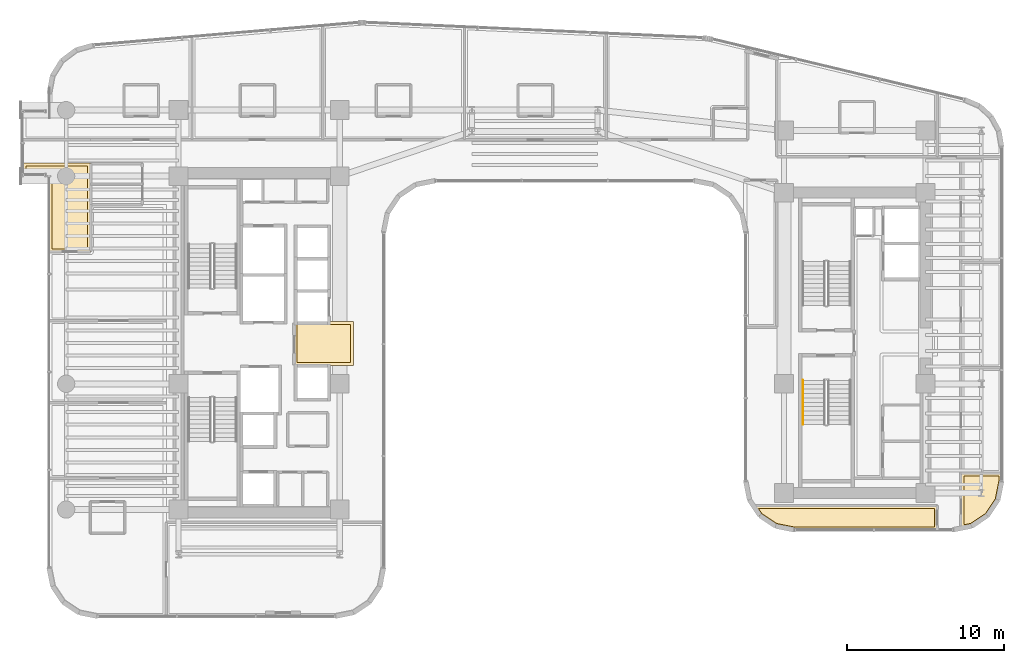
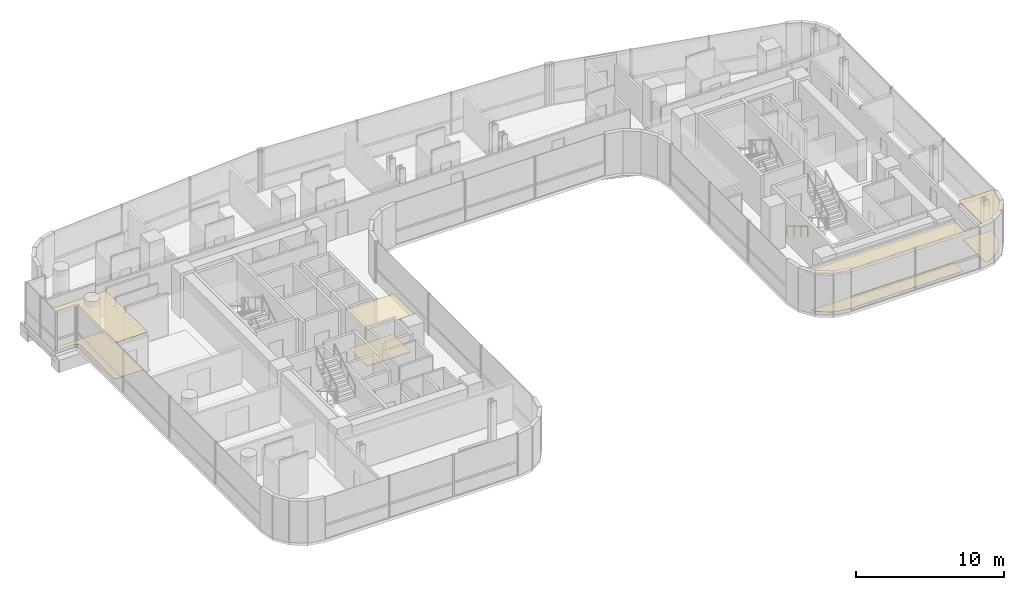
# One storey, part 33 of 35: 8 coverings, 1 railing.
"""IFC4 building model written with IfcOpenShell, lengths in metres."""

from ifc_helpers import new_model, si_unit, direction, frame, origin, origin_2d, place, context, subcontext, project, spatial, polyline, circle, outline, extrude, material, layer, layer_set, type_object, element, save


model = new_model("IFC4")

# Units and contexts
model_context = context("Model", 3, precision=1e-05, world=origin(), true_north=direction((0.0, 1.0)))
body_context = subcontext(model_context, "Body", "Model", "MODEL_VIEW")
ifc_project = project(units=[si_unit("LENGTHUNIT", "METRE"), si_unit("AREAUNIT", "SQUARE_METRE"), si_unit("VOLUMEUNIT", "CUBIC_METRE"), si_unit("PLANEANGLEUNIT", "RADIAN"), si_unit("MASSUNIT", "GRAM", prefix="KILO")], contexts=[model_context])

# Site, building, storey
site_placement = place(None, origin())
site = spatial("IfcSite", under=ifc_project, at=site_placement, CompositionType="ELEMENT")
building_placement = place(site_placement, origin())
building = spatial("IfcBuilding", under=site, at=building_placement, Name="Valdorenza Pilgrim Sanctuary Tower", CompositionType="ELEMENT")
storey_placement = place(building_placement, frame((0.0, 0.0, 116.800048828125)))
storey = spatial("IfcBuildingStorey", under=building, at=storey_placement, Name="L29", CompositionType="ELEMENT", Elevation=116.800048828125)

# Coverings
ifc_material_1 = material(Name="Micro-perforated acoustic mineral ceiling tile", Category="gypsum")
ifc_layer_1 = layer(ifc_material_1, 0.02490234375, Name="Micro-perforated acoustic mineral ceiling tile")
ifc_layer_set_1 = layer_set([ifc_layer_1], Name="Micro-perforated acoustic mineral ceiling tile")
covering_type_1 = type_object("IfcCoveringType", Name="COV-CLG-ACU", PredefinedType="CEILING", material=ifc_layer_set_1)
covering_1_placement = place(storey_placement, frame((0.0, 0.0, 3.159912109375)))
element("IfcCovering", 1, at=covering_1_placement, inside=storey, type_object=covering_type_1, Name="L29 Core A Passenger Lift Lobby Acoustic Ceiling", PredefinedType="CEILING", context=body_context, shape_type="SweptSolid", body=[
    extrude(outline(polyline([(-15.31298828125, 1.244384765625), (-15.31298828125, 1.24462890625), (-15.313720703125, 1.24609375), (-15.314208984375, 1.24755859375), (-15.314697265625, 1.2490234375), (-15.31494140625, 1.25048828125), (-15.31494140625, 1.251953125), (-15.31494140625, 1.35009765625), (-15.31494140625, 1.3515625), (-15.314697265625, 1.352783203125), (-15.314453125, 1.3544921875), (-15.31396484375, 1.355712890625), (-15.313232421875, 1.357177734375), (-15.3125, 1.3583984375), (-15.3115234375, 1.359619140625), (-15.310546875, 1.360595703125), (-15.3095703125, 1.361572265625), (-15.308349609375, 1.362548828125), (-15.30712890625, 1.36328125), (-15.3056640625, 1.364013671875), (-15.304443359375, 1.364501953125), (-15.302978515625, 1.36474609375), (-15.301513671875, 1.364990234375), (-15.300048828125, 1.364990234375), (-15.10205078125, 1.364990234375), (-15.1005859375, 1.364990234375), (-15.09912109375, 1.36474609375), (-15.097412109375, 1.3642578125), (-15.09619140625, 1.36376953125), (-15.0947265625, 1.363037109375), (-15.094482421875, 1.363037109375), (-13.185546875, 1.363037109375), (-13.185302734375, 1.363037109375), (-13.183837890625, 1.36376953125), (-13.1826171875, 1.3642578125), (-13.180908203125, 1.36474609375), (-13.179443359375, 1.364990234375), (-13.177978515625, 1.364990234375), (-11.550048828125, 1.364990234375), (-11.548583984375, 1.364990234375), (-11.547119140625, 1.36474609375), (-11.545654296875, 1.364501953125), (-11.544189453125, 1.364013671875), (-11.54296875, 1.36328125), (-11.541748046875, 1.362548828125), (-11.54052734375, 1.361572265625), (-11.539306640625, 1.360595703125), (-11.538330078125, 1.359619140625), (-11.53759765625, 1.3583984375), (-11.536865234375, 1.357177734375), (-11.5361328125, 1.355712890625), (-11.53564453125, 1.3544921875), (-11.535400390625, 1.352783203125), (-11.53515625, 1.3515625), (-11.534912109375, 1.35009765625), (-11.534912109375, -1.419921875), (-11.53515625, -1.42138671875), (-11.535400390625, -1.4228515625), (-11.53564453125, -1.42431640625), (-11.5361328125, -1.42578125), (-11.536865234375, -1.427001953125), (-11.53759765625, -1.42822265625), (-11.538330078125, -1.429443359375), (-11.539306640625, -1.4306640625), (-11.54052734375, -1.431640625), (-11.541748046875, -1.4326171875), (-11.54296875, -1.43310546875), (-11.544189453125, -1.433837890625), (-11.545654296875, -1.434326171875), (-11.547119140625, -1.434814453125), (-11.548583984375, -1.434814453125), (-11.550048828125, -1.43505859375), (-15.298095703125, -1.43505859375), (-15.299560546875, -1.434814453125), (-15.30078125, -1.434814453125), (-15.302490234375, -1.434326171875), (-15.3037109375, -1.433837890625), (-15.30517578125, -1.43310546875), (-15.306396484375, -1.4326171875), (-15.3076171875, -1.431640625), (-15.30859375, -1.4306640625), (-15.3095703125, -1.429443359375), (-15.310546875, -1.42822265625), (-15.311279296875, -1.427001953125), (-15.31201171875, -1.42578125), (-15.3125, -1.42431640625), (-15.312744140625, -1.4228515625), (-15.31298828125, -1.42138671875), (-15.31298828125, -1.419921875), (-15.31298828125, 1.244384765625)])), origin(), (0.0, 0.0, 1.0), 0.025146484375),
])
covering_2_placement = place(storey_placement, frame((0.0, 0.0, 3.159912109375)))
element("IfcCovering", 2, at=covering_2_placement, inside=storey, type_object=covering_type_1, Name="L29 Pastoral Scholar Office L29-CN1 Acoustic Ceiling", PredefinedType="CEILING", context=body_context, shape_type="SweptSolid", body=[
    extrude(outline(polyline([(-28.237060546875, 8.805419921875), (-28.23681640625, 8.805419921875), (-28.236083984375, 8.803955078125), (-28.235595703125, 8.802490234375), (-28.2353515625, 8.801025390625), (-28.235107421875, 8.799560546875), (-28.235107421875, 8.798095703125), (-28.235107421875, 5.800048828125), (-28.235107421875, 5.798583984375), (-28.2353515625, 5.797119140625), (-28.235595703125, 5.795654296875), (-28.236083984375, 5.794189453125), (-28.23681640625, 5.79296875), (-28.237548828125, 5.791748046875), (-28.23828125, 5.79052734375), (-28.239501953125, 5.789306640625), (-28.240478515625, 5.788330078125), (-28.24169921875, 5.78759765625), (-28.242919921875, 5.786865234375), (-28.244384765625, 5.7861328125), (-28.24560546875, 5.78564453125), (-28.2470703125, 5.785400390625), (-28.24853515625, 5.78515625), (-28.25, 5.784912109375), (-30.889892578125, 5.784912109375), (-30.8916015625, 5.78515625), (-30.892822265625, 5.785400390625), (-30.894287109375, 5.78564453125), (-30.895751953125, 5.7861328125), (-30.897216796875, 5.786865234375), (-30.898193359375, 5.78759765625), (-30.8994140625, 5.788330078125), (-30.900634765625, 5.789306640625), (-30.901611328125, 5.79052734375), (-30.902587890625, 5.791748046875), (-30.9033203125, 5.79296875), (-30.90380859375, 5.794189453125), (-30.904296875, 5.795654296875), (-30.90478515625, 5.797119140625), (-30.90478515625, 5.798583984375), (-30.905029296875, 5.800048828125), (-30.905029296875, 10.599609375), (-30.905517578125, 10.609375), (-30.90673828125, 10.618408203125), (-30.9091796875, 10.627685546875), (-30.912109375, 10.63623046875), (-30.916259765625, 10.644775390625), (-30.9208984375, 10.65283203125), (-30.926513671875, 10.660400390625), (-30.932861328125, 10.667236328125), (-30.939697265625, 10.67333984375), (-30.947265625, 10.678955078125), (-30.955078125, 10.683837890625), (-30.963623046875, 10.687744140625), (-30.972412109375, 10.69091796875), (-30.9814453125, 10.693115234375), (-30.99072265625, 10.694580078125), (-31.00048828125, 10.695068359375), (-32.5400390625, 10.695068359375), (-32.54150390625, 10.695068359375), (-32.54296875, 10.6953125), (-32.54443359375, 10.695556640625), (-32.545654296875, 10.696044921875), (-32.547119140625, 10.69677734375), (-32.54833984375, 10.697509765625), (-32.549560546875, 10.698486328125), (-32.550537109375, 10.699462890625), (-32.551513671875, 10.700439453125), (-32.552490234375, 10.70166015625), (-32.55322265625, 10.702880859375), (-32.553955078125, 10.704345703125), (-32.554443359375, 10.70556640625), (-32.5546875, 10.70703125), (-32.554931640625, 10.70849609375), (-32.554931640625, 10.7099609375), (-32.554931640625, 11.419921875), (-32.554931640625, 11.42138671875), (-32.5546875, 11.4228515625), (-32.554443359375, 11.42431640625), (-32.553955078125, 11.42578125), (-32.55322265625, 11.427001953125), (-32.552490234375, 11.42822265625), (-32.551513671875, 11.429443359375), (-32.550537109375, 11.4306640625), (-32.549560546875, 11.431640625), (-32.54833984375, 11.4326171875), (-32.547119140625, 11.43310546875), (-32.545654296875, 11.433837890625), (-32.54443359375, 11.434326171875), (-32.54296875, 11.434814453125), (-32.54150390625, 11.434814453125), (-32.5400390625, 11.43505859375), (-28.25, 11.43505859375), (-28.24853515625, 11.434814453125), (-28.2470703125, 11.434814453125), (-28.24560546875, 11.434326171875), (-28.244384765625, 11.433837890625), (-28.242919921875, 11.43310546875), (-28.24169921875, 11.4326171875), (-28.240478515625, 11.431640625), (-28.239501953125, 11.4306640625), (-28.23828125, 11.429443359375), (-28.237548828125, 11.42822265625), (-28.23681640625, 11.427001953125), (-28.236083984375, 11.42578125), (-28.235595703125, 11.42431640625), (-28.2353515625, 11.4228515625), (-28.235107421875, 11.42138671875), (-28.235107421875, 11.419921875), (-28.235107421875, 11.402099609375), (-28.235107421875, 11.400390625), (-28.2353515625, 11.39892578125), (-28.235595703125, 11.3974609375), (-28.236083984375, 11.39599609375), (-28.23681640625, 11.394775390625), (-28.237060546875, 11.39453125), (-28.237060546875, 10.103759765625), (-28.23681640625, 10.10302734375), (-28.23681640625, 10.1015625), (-28.23681640625, 10.10009765625), (-28.23681640625, 10.098388671875), (-28.237060546875, 10.09814453125), (-28.237060546875, 8.805419921875)])), origin(), (0.0, 0.0, 1.0), 0.025146484375),
])
covering_3_placement = place(storey_placement, frame((0.0, 0.0, 3.159912109375)))
element("IfcCovering", 3, at=covering_3_placement, inside=storey, type_object=covering_type_1, Name="L29 Sacred Manuscript Archive L29-BS Acoustic Ceiling", PredefinedType="CEILING", context=body_context, shape_type="SweptSolid", body=[
    extrude(outline(polyline([(25.614990234375, -11.889892578125), (25.614990234375, -11.8916015625), (25.61474609375, -11.892822265625), (25.614501953125, -11.894287109375), (25.614013671875, -11.895751953125), (25.61328125, -11.897216796875), (25.612548828125, -11.898193359375), (25.611572265625, -11.8994140625), (25.610595703125, -11.900634765625), (25.609619140625, -11.901611328125), (25.6083984375, -11.902587890625), (25.607177734375, -11.9033203125), (25.605712890625, -11.90380859375), (25.6044921875, -11.904296875), (25.602783203125, -11.90478515625), (25.6015625, -11.90478515625), (25.60009765625, -11.905029296875), (16.5107421875, -11.905029296875), (16.509521484375, -11.90478515625), (16.5078125, -11.90478515625), (15.3154296875, -11.66748046875), (15.31396484375, -11.6669921875), (15.3125, -11.66650390625), (15.311279296875, -11.666015625), (15.31005859375, -11.665283203125), (14.308349609375, -10.995849609375), (14.30712890625, -10.9951171875), (14.305908203125, -10.993896484375), (14.304931640625, -10.992919921875), (14.30419921875, -10.99169921875), (13.880859375, -10.3583984375), (13.880126953125, -10.357177734375), (13.87939453125, -10.355712890625), (13.87890625, -10.3544921875), (13.878662109375, -10.352783203125), (13.87841796875, -10.3515625), (13.87841796875, -10.35009765625), (13.87841796875, -10.348388671875), (13.878662109375, -10.34716796875), (13.87890625, -10.345703125), (13.87939453125, -10.34423828125), (13.880126953125, -10.343017578125), (13.880859375, -10.341796875), (13.881591796875, -10.340576171875), (13.8828125, -10.33935546875), (13.8837890625, -10.33837890625), (13.885009765625, -10.33740234375), (13.88623046875, -10.3369140625), (13.8876953125, -10.336181640625), (13.888916015625, -10.335693359375), (13.890380859375, -10.335205078125), (13.891845703125, -10.335205078125), (13.893310546875, -10.3349609375), (25.60009765625, -10.3349609375), (25.6015625, -10.335205078125), (25.602783203125, -10.335205078125), (25.6044921875, -10.335693359375), (25.605712890625, -10.336181640625), (25.607177734375, -10.3369140625), (25.6083984375, -10.33740234375), (25.609619140625, -10.33837890625), (25.610595703125, -10.33935546875), (25.611572265625, -10.340576171875), (25.612548828125, -10.341796875), (25.61328125, -10.343017578125), (25.614013671875, -10.34423828125), (25.614501953125, -10.345703125), (25.61474609375, -10.34716796875), (25.614990234375, -10.348388671875), (25.614990234375, -10.35009765625), (25.614990234375, -11.889892578125)])), origin(), (0.0, 0.0, 1.0), 0.025146484375),
])
covering_4_placement = place(storey_placement, frame((0.0, 0.0, 3.159912109375)))
element("IfcCovering", 4, at=covering_4_placement, inside=storey, type_object=covering_type_1, Name="L29 East Sanctuary Scholar Office L29-EG1 Acoustic Ceiling", PredefinedType="CEILING", context=body_context, shape_type="SweptSolid", body=[
    extrude(outline(polyline([(29.467529296875, -9.984619140625), (29.467041015625, -9.986083984375), (29.466552734375, -9.9873046875), (29.466064453125, -9.98876953125), (29.46533203125, -9.989990234375), (28.7958984375, -10.99169921875), (28.794921875, -10.992919921875), (28.7939453125, -10.993896484375), (28.79296875, -10.9951171875), (28.791748046875, -10.995849609375), (27.7900390625, -11.665283203125), (27.788818359375, -11.666015625), (27.787353515625, -11.66650390625), (27.785888671875, -11.6669921875), (27.78466796875, -11.66748046875), (27.102783203125, -11.802978515625), (27.1015625, -11.80322265625), (27.10009765625, -11.803466796875), (27.098388671875, -11.80322265625), (27.09716796875, -11.802978515625), (27.095703125, -11.802734375), (27.09423828125, -11.80224609375), (27.093017578125, -11.801513671875), (27.091796875, -11.80078125), (27.090576171875, -11.800048828125), (27.08935546875, -11.799072265625), (27.08837890625, -11.7978515625), (27.08740234375, -11.796630859375), (27.0869140625, -11.79541015625), (27.086181640625, -11.794189453125), (27.085693359375, -11.792724609375), (27.085205078125, -11.791259765625), (27.085205078125, -11.789794921875), (27.0849609375, -11.788330078125), (27.0849609375, -8.287109375), (27.085205078125, -8.285400390625), (27.085205078125, -8.2841796875), (27.085693359375, -8.28271484375), (27.086181640625, -8.28125), (27.0869140625, -8.27978515625), (27.08740234375, -8.27880859375), (27.08837890625, -8.277587890625), (27.08935546875, -8.2763671875), (27.090576171875, -8.275390625), (27.091796875, -8.2744140625), (27.093017578125, -8.273681640625), (27.09423828125, -8.273193359375), (27.095703125, -8.272705078125), (27.09716796875, -8.272216796875), (27.098388671875, -8.272216796875), (27.10009765625, -8.27197265625), (29.68994140625, -8.27197265625), (29.69140625, -8.272216796875), (29.69287109375, -8.272216796875), (29.6943359375, -8.272705078125), (29.69580078125, -8.273193359375), (29.697021484375, -8.273681640625), (29.6982421875, -8.2744140625), (29.699462890625, -8.275390625), (29.70068359375, -8.2763671875), (29.70166015625, -8.277587890625), (29.702392578125, -8.27880859375), (29.703125, -8.27978515625), (29.703857421875, -8.28125), (29.704345703125, -8.28271484375), (29.70458984375, -8.2841796875), (29.704833984375, -8.285400390625), (29.705078125, -8.287109375), (29.705078125, -8.789306640625), (29.704833984375, -8.79052734375), (29.70458984375, -8.7919921875), (29.467529296875, -9.984619140625)])), origin(), (0.0, 0.0, 1.0), 0.025146484375),
])
ifc_material_2 = material(Name="Honed travertine stone flooring", Category="masonry")
ifc_layer_2 = layer(ifc_material_2, 0.030029296875, Name="Honed travertine stone flooring")
ifc_layer_set_2 = layer_set([ifc_layer_2], Name="Honed travertine stone flooring")
covering_type_2 = type_object("IfcCoveringType", Name="COV-FLR-TRV", PredefinedType="FLOORING", material=ifc_layer_set_2)
covering_5_placement = place(storey_placement, origin())
element("IfcCovering", 5, at=covering_5_placement, inside=storey, type_object=covering_type_2, Name="L29 Core A Passenger Lift Lobby Flooring", PredefinedType="FLOORING", context=body_context, shape_type="SweptSolid", body=[
    extrude(outline(polyline([(-15.117919921875, 1.169189453125), (-15.10888671875, 1.168212890625), (-15.10888671875, 1.168212890625), (-15.10009765625, 1.16796875), (-13.179931640625, 1.16796875), (-13.1796875, 1.16796875), (-11.72998046875, 1.169921875), (-11.72998046875, -1.239990234375), (-15.117919921875, -1.239990234375), (-15.117919921875, 1.169189453125)])), origin(), (0.0, 0.0, 1.0), 0.02490234375),
])
covering_6_placement = place(storey_placement, origin())
element("IfcCovering", 6, at=covering_6_placement, inside=storey, type_object=covering_type_2, Name="L29 Pastoral Scholar Office L29-CN1 Flooring", PredefinedType="FLOORING", context=body_context, shape_type="SweptSolid", body=[
    extrude(outline(polyline([(-28.431884765625, 11.239990234375), (-28.431884765625, 10.10205078125), (-28.431884765625, 10.10107421875), (-28.431884765625, 10.100341796875), (-28.431884765625, 10.10009765625), (-28.431884765625, 8.800048828125), (-28.43017578125, 5.97998046875), (-30.7099609375, 5.97998046875), (-30.7099609375, 10.60009765625), (-30.710205078125, 10.60888671875), (-30.710693359375, 10.61962890625), (-30.71240234375, 10.63720703125), (-30.714111328125, 10.64794921875), (-30.717529296875, 10.665283203125), (-30.72021484375, 10.67578125), (-30.725341796875, 10.692626953125), (-30.72900390625, 10.70263671875), (-30.735595703125, 10.718994140625), (-30.740234375, 10.728759765625), (-30.74853515625, 10.744384765625), (-30.754150390625, 10.753662109375), (-30.763916015625, 10.768310546875), (-30.7705078125, 10.777099609375), (-30.781494140625, 10.790771484375), (-30.788818359375, 10.798583984375), (-30.80126953125, 10.811279296875), (-30.809326171875, 10.818359375), (-30.822998046875, 10.82958984375), (-30.831787109375, 10.8359375), (-30.84619140625, 10.845947265625), (-30.855712890625, 10.851318359375), (-30.87109375, 10.859619140625), (-30.880859375, 10.8642578125), (-30.897216796875, 10.87109375), (-30.907470703125, 10.874755859375), (-30.92431640625, 10.8798828125), (-30.934814453125, 10.882568359375), (-30.9521484375, 10.885986328125), (-30.962890625, 10.887451171875), (-30.98046875, 10.889404296875), (-30.9912109375, 10.889892578125), (-31.0, 10.889892578125), (-32.360107421875, 10.889892578125), (-32.360107421875, 11.239990234375), (-28.431884765625, 11.239990234375)])), origin(), (0.0, 0.0, 1.0), 0.02490234375),
])
covering_7_placement = place(storey_placement, origin())
element("IfcCovering", 7, at=covering_7_placement, inside=storey, type_object=covering_type_2, Name="L29 Sacred Manuscript Archive L29-BS Flooring", PredefinedType="FLOORING", context=body_context, shape_type="SweptSolid", body=[
    extrude(outline(polyline([(25.419921875, -11.7099609375), (16.528564453125, -11.7099609375), (15.388671875, -11.483154296875), (14.4462890625, -10.853515625), (14.22998046875, -10.530029296875), (25.419921875, -10.530029296875), (25.419921875, -11.7099609375)])), origin(), (0.0, 0.0, 1.0), 0.02490234375),
])
covering_8_placement = place(storey_placement, origin())
element("IfcCovering", 8, at=covering_8_placement, inside=storey, type_object=covering_type_2, Name="L29 East Sanctuary Scholar Office L29-EG1 Flooring", PredefinedType="FLOORING", context=body_context, shape_type="SweptSolid", body=[
    extrude(outline(polyline([(29.283203125, -9.911376953125), (28.653564453125, -10.853515625), (27.71142578125, -11.483154296875), (27.280029296875, -11.569091796875), (27.280029296875, -8.467041015625), (29.510009765625, -8.467041015625), (29.510009765625, -8.771484375), (29.283203125, -9.911376953125)])), origin(), (0.0, 0.0, 1.0), 0.02490234375),
])

# Railing
ifc_material_3 = material(Name="Brushed stainless steel Grade 316", Category="steel")
railing_type = type_object("IfcRailingType", Name="RLG-HND-920", PredefinedType="HANDRAIL", material=ifc_material_3)
railing_placement = place(storey_placement, frame((17.050048828125, -2.3798828125, 0.168212890625)))
element("IfcRailing", 9, at=railing_placement, inside=storey, type_object=railing_type, Name="L29 ST-B2 stair handrail 1", PredefinedType="HANDRAIL", context=body_context, shape_type="SweptSolid", body=[
    extrude(circle(Radius=0.02392578125, at=origin_2d()), frame((0.0, 0.0, 0.8759765625), z_axis=(0.0, -0.857275202839, 0.514858452973), x_axis=(1.0, 0.0, 0.0)), (0.0, 0.0, 1.0), 3.26611328125),
    extrude(circle(Radius=0.02099609375, at=origin_2d()), origin(), (0.0, 0.0, 1.0), 0.851806640625),
    extrude(circle(Radius=0.02099609375, at=origin_2d()), frame((0.0, -0.933349609375, 0.560546875)), (0.0, 0.0, 1.0), 0.851806640625),
    extrude(circle(Radius=0.02099609375, at=origin_2d()), frame((0.0, -1.86669921875, 1.12109375)), (0.0, 0.0, 1.0), 0.851806640625),
    extrude(circle(Radius=0.02099609375, at=origin_2d()), frame((0.0, -2.800048828125, 1.681640625)), (0.0, 0.0, 1.0), 0.851806640625),
])

save(model, "model.ifc")
